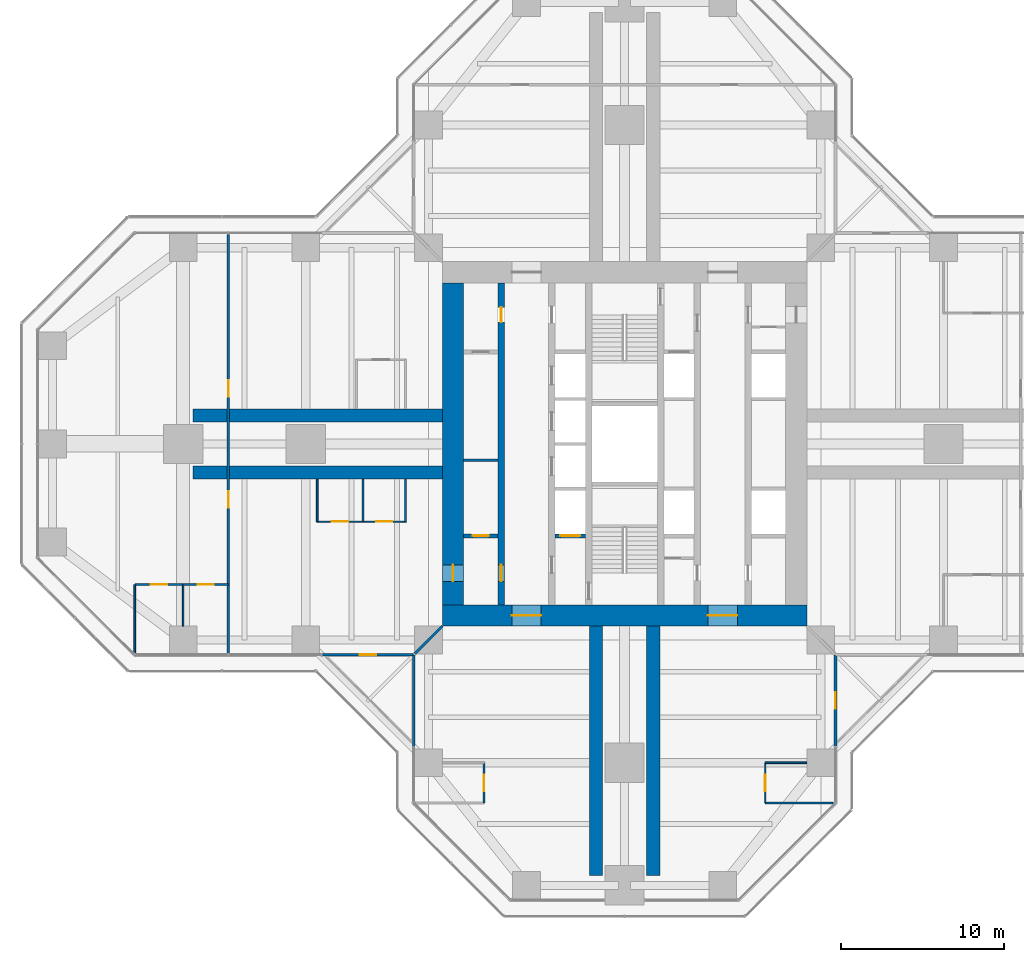
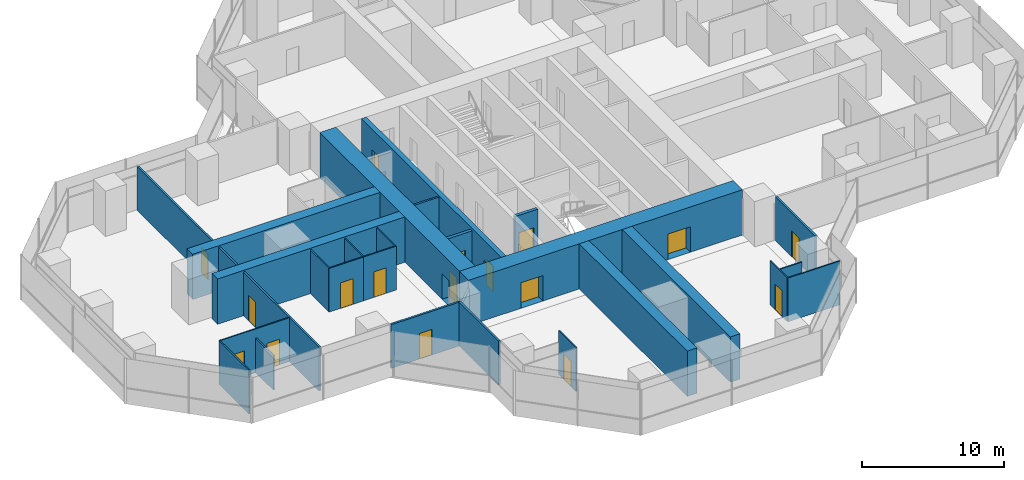
# One storey, part 15 of 20: 27 walls, 17 doors, 17 openings.
"""IFC4 building model written with IfcOpenShell, lengths in metres."""

import ifcopenshell
import ifcopenshell.guid

model = None  # the IFC model being written
_history = None  # IfcOwnerHistory: only IFC2X3 demands one
_inside = {}  # id of a spatial element -> (the spatial element, [elements in it])
_under = {}  # id of a project, library or spatial element -> (it, [spatial elements below it])
_declared = {}  # id of a project -> (the project, [libraries it declares])
_typed = {}  # id of a type object -> (the type object, [elements of that type])
_made_of = {}  # id of a material, layer set ... -> (it, [elements and type objects made of it])


def new_model(schema):
    """Start an empty IFC model of exactly this schema.

    Asked for "IFC4X3", IfcOpenShell would pick the latest addendum, in which some entities
    have other attributes; the version numbers below select the first issue.
    IFC2X3 requires an IfcOwnerHistory on every rooted entity: one is made here for all.
    """
    global model, _history
    if schema == "IFC4X3":
        model = ifcopenshell.file(schema_version=(4, 3, 0, 0))
    else:
        model = ifcopenshell.file(schema=schema)
    _inside.clear()
    _under.clear()
    _declared.clear()
    _typed.clear()
    _made_of.clear()
    _history = None
    if model.schema == "IFC2X3":
        org = make("IfcOrganization", Name="unknown")
        user = make(
            "IfcPersonAndOrganization",
            ThePerson=make("IfcPerson", FamilyName="unknown"),
            TheOrganization=org,
        )
        app = make(
            "IfcApplication",
            ApplicationDeveloper=org,
            Version="unknown",
            ApplicationFullName="unknown",
            ApplicationIdentifier="unknown",
        )
        _history = make(
            "IfcOwnerHistory",
            OwningUser=user,
            OwningApplication=app,
            ChangeAction="ADDED",
            CreationDate=0,
        )
    return model


def make(cls, **values):
    """One entity of the class cls with the attributes given. An attribute that is None is left unset."""
    return model.create_entity(
        cls, **{name: value for name, value in values.items() if value is not None}
    )


def rooted(cls, **values):
    """An entity with a GlobalId (a new one), such as an element, a storey or a relation."""
    return make(cls, GlobalId=ifcopenshell.guid.new(), OwnerHistory=_history, **values)


def si_unit(unit_type, name, prefix=None):
    """IfcSIUnit, for example si_unit("LENGTHUNIT", "METRE", prefix="MILLI")."""
    return make("IfcSIUnit", UnitType=unit_type, Prefix=prefix, Name=name)


def assignment(units):
    """IfcUnitAssignment: the units of a project."""
    return None if units is None else make("IfcUnitAssignment", Units=units)


def point(xyz):
    """IfcCartesianPoint."""
    return None if xyz is None else make("IfcCartesianPoint", Coordinates=xyz)


def direction(xyz):
    """IfcDirection."""
    return None if xyz is None else make("IfcDirection", DirectionRatios=xyz)


def frame(location, z_axis=None, x_axis=None):
    """IfcAxis2Placement3D, a coordinate frame: its origin and axes. An axis left out is left unset."""
    return make(
        "IfcAxis2Placement3D",
        Location=point(location),
        Axis=direction(z_axis),
        RefDirection=direction(x_axis),
    )


def frame_2d(location, x_axis=None):
    """IfcAxis2Placement2D, a coordinate frame in the plane: its origin and x axis."""
    return make(
        "IfcAxis2Placement2D", Location=point(location), RefDirection=direction(x_axis)
    )


def origin():
    """The frame at (0, 0, 0) with its axes left unset."""
    return frame((0.0, 0.0, 0.0))


def place(relative_to, where):
    """IfcLocalPlacement: puts the frame where relative to a parent placement (None: the world)."""
    return make(
        "IfcLocalPlacement", PlacementRelTo=relative_to, RelativePlacement=where
    )


def context(
    kind, dimensions, precision=None, world=None, true_north=None, identifier=None
):
    """IfcGeometricRepresentationContext, for example the 3D "Model" context."""
    return make(
        "IfcGeometricRepresentationContext",
        ContextIdentifier=identifier,
        ContextType=kind,
        CoordinateSpaceDimension=dimensions,
        Precision=precision,
        WorldCoordinateSystem=world,
        TrueNorth=true_north,
    )


def subcontext(parent, identifier, kind, view, scale=None):
    """IfcGeometricRepresentationSubContext, for example "Body" below "Model"."""
    return make(
        "IfcGeometricRepresentationSubContext",
        ContextIdentifier=identifier,
        ContextType=kind,
        ParentContext=parent,
        TargetScale=scale,
        TargetView=view,
    )


def project(units=None, contexts=None):
    """IfcProject with its units and contexts."""
    return rooted(
        "IfcProject",
        Name="project",
        RepresentationContexts=contexts,
        UnitsInContext=assignment(units),
    )


def spatial(cls, under=None, at=None, **own):
    """A site, building, storey or space (cls), placed at a placement, below another one or the project."""
    s = rooted(cls, ObjectPlacement=at, **own)
    if under is not None:
        _under.setdefault(under.id(), (under, []))[1].append(s)
    return s


def profile(cls, at=None, kind="AREA", **sizes):
    """A parametric profile (cls). Its sizes go by their IFC names, for example OverallWidth=200.0."""
    return make(cls, ProfileType=kind, Position=at, **sizes)


def rectangle(**sizes):
    """IfcRectangleProfileDef."""
    return profile("IfcRectangleProfileDef", **sizes)


def extrude(swept, where, along, depth):
    """IfcExtrudedAreaSolid: the profile swept, set in the frame where, extruded along a direction by depth."""
    return make(
        "IfcExtrudedAreaSolid",
        SweptArea=swept,
        Position=where,
        ExtrudedDirection=direction(along),
        Depth=depth,
    )


def shape(context_of_items, identifier, shape_type, items):
    """IfcShapeRepresentation: the items that make up one representation, for example the "Body"."""
    return make(
        "IfcShapeRepresentation",
        ContextOfItems=context_of_items,
        RepresentationIdentifier=identifier,
        RepresentationType=shape_type,
        Items=items,
    )


def material(Name=None, Category=None):
    """IfcMaterial."""
    return make("IfcMaterial", Name=Name, Category=Category)


def layer(
    of_material, thickness, ventilated=None, Name=None, Category=None, Priority=None
):
    """IfcMaterialLayer: one layer of a wall or slab, of a material (None: an air gap)."""
    return make(
        "IfcMaterialLayer",
        Material=of_material,
        LayerThickness=thickness,
        IsVentilated=ventilated,
        Name=Name,
        Category=Category,
        Priority=Priority,
    )


def layer_set(layers, Name=None):
    """IfcMaterialLayerSet."""
    return make("IfcMaterialLayerSet", MaterialLayers=layers, LayerSetName=Name)


def made_of(thing, what):
    """Note that an element or type object is made of a material, layer set ...; save() writes the relation."""
    if what is not None:
        _made_of.setdefault(what.id(), (what, []))[1].append(thing)
    return thing


def type_object(cls, material=None, **own):
    """A type object (cls), such as IfcWallType, which elements share."""
    return made_of(rooted(cls, **own), material)


def element(
    cls,
    number,
    at=None,
    inside=None,
    cuts=None,
    type_object=None,
    material=None,
    context=None,
    identifier="Body",
    shape_type=None,
    held_by="IfcProductDefinitionShape",
    body=None,
    shapes=None,
    **own,
):
    """One element of the class cls, such as IfcWall. Its Tag is "e" and its number.

    at: its placement. inside: the storey or other place that contains it. cuts: it is an
    opening in that element (IfcRelVoidsElement). A single representation is given by context,
    identifier, shape_type and body (its items); several are given by shapes. held_by: the class
    of the entity that holds the representations. save() writes the other relations.
    """
    e = rooted(cls, Tag="e%d" % number, ObjectPlacement=at, **own)
    if body is not None:
        shapes = [shape(context, identifier, shape_type, body)]
    if shapes is not None:
        e.Representation = make(held_by, Representations=shapes)
    if inside is not None:
        _inside.setdefault(inside.id(), (inside, []))[1].append(e)
    if cuts is not None:
        rooted(
            "IfcRelVoidsElement", RelatingBuildingElement=cuts, RelatedOpeningElement=e
        )
    if type_object is not None:
        _typed.setdefault(type_object.id(), (type_object, []))[1].append(e)
    return made_of(e, material)


def fill(opening, filler):
    """IfcRelFillsElement: the door or window that sits in an opening."""
    return rooted(
        "IfcRelFillsElement",
        RelatingOpeningElement=opening,
        RelatedBuildingElement=filler,
    )


def aggregate(whole, parts):
    """IfcRelAggregates: a whole, such as a stair, and the parts it consists of."""
    return rooted("IfcRelAggregates", RelatingObject=whole, RelatedObjects=parts)


def save(model, path):
    """Write the relations noted so far, then the file.

    IfcRelAggregates (storeys below a building ...), IfcRelContainedInSpatialStructure (elements
    in a storey), IfcRelDefinesByType, IfcRelAssociatesMaterial and IfcRelDeclares: one each for
    every whole, place, type object, material and project.
    """
    for whole, parts in _under.values():
        aggregate(whole, parts)
    for where, things in _inside.values():
        rooted(
            "IfcRelContainedInSpatialStructure",
            RelatedElements=things,
            RelatingStructure=where,
        )
    for kind, things in _typed.values():
        rooted("IfcRelDefinesByType", RelatedObjects=things, RelatingType=kind)
    for what, things in _made_of.values():
        rooted("IfcRelAssociatesMaterial", RelatedObjects=things, RelatingMaterial=what)
    for by, libraries in _declared.values():
        rooted("IfcRelDeclares", RelatingContext=by, RelatedDefinitions=libraries)
    model.write(path)


model = new_model("IFC4")

# Units and contexts
model_context = context("Model", 3, precision=1e-05, world=origin(), true_north=direction((0.0, 1.0)))
body_context = subcontext(model_context, "Body", "Model", "MODEL_VIEW")
ifc_project = project(units=[si_unit("LENGTHUNIT", "METRE"), si_unit("AREAUNIT", "SQUARE_METRE"), si_unit("VOLUMEUNIT", "CUBIC_METRE"), si_unit("PLANEANGLEUNIT", "RADIAN"), si_unit("MASSUNIT", "GRAM", prefix="KILO")], contexts=[model_context])

# Site, building, storey
site_placement = place(None, origin())
site = spatial("IfcSite", under=ifc_project, at=site_placement, CompositionType="ELEMENT")
building_placement = place(site_placement, origin())
building = spatial("IfcBuilding", under=site, at=building_placement, Name="Mizan Broadcast Tower", CompositionType="ELEMENT")
storey_placement = place(building_placement, frame((0.0, 0.0, 135.89990234375)))
storey = spatial("IfcBuildingStorey", under=building, at=storey_placement, Name="L30", CompositionType="ELEMENT", Elevation=135.89990234375)

# Wall, openings, doors
ifc_material_1 = material(Name="Concrete C70/85", Category="concrete")
ifc_layer_1 = layer(ifc_material_1, 0.39990234375)
ifc_layer_set_1 = layer_set([ifc_layer_1], Name="Concrete C70/85")
wall_type_1 = type_object("IfcWallType", Name="CORE INTERNAL WALL 400", PredefinedType="SHEAR", material=ifc_layer_set_1)
wall_1_placement = place(storey_placement, frame((-7.550048828125, -9.85009765625, 0.0), z_axis=(0.0, 0.0, 1.0), x_axis=(0.0, 1.0, 0.0)))
wall_1 = element("IfcWall", 1, at=wall_1_placement, inside=storey, type_object=wall_type_1, Name="Core wall CORE/XW1", PredefinedType="SHEAR", context=body_context, shape_type="SweptSolid", body=[
    extrude(rectangle(XDim=19.7001953125, YDim=0.39990234375, at=frame_2d((9.85009765625, 0.0))), origin(), (0.0, 0.0, 1.0), 3.900146484375),
])
opening_1_placement = place(wall_1_placement, frame((1.449951171875, 0.0, 0.0)))
opening_1 = element("IfcOpeningElement", 2, at=opening_1_placement, cuts=wall_1, Name="Opening D10F", PredefinedType="OPENING", context=body_context, shape_type="SweptSolid", body=[
    extrude(rectangle(XDim=1.0, YDim=2.199951171875, at=frame_2d((0.5, 1.10009765625))), frame((0.0, 0.2099609375, 0.0), z_axis=(0.0, -1.0, 0.0), x_axis=(1.0, 0.0, 0.0)), (0.0, 0.0, 1.0), 0.419921875),
])
opening_2_placement = place(wall_1_placement, frame((17.300048828125, 0.0, 0.0)))
opening_2 = element("IfcOpeningElement", 3, at=opening_2_placement, cuts=wall_1, Name="Opening D09", PredefinedType="OPENING", context=body_context, shape_type="SweptSolid", body=[
    extrude(rectangle(XDim=0.89990234375, YDim=2.10009765625, at=frame_2d((0.449951171875, 1.050048828125))), frame((0.0, 0.2099609375, 0.0), z_axis=(0.0, -1.0, 0.0), x_axis=(1.0, 0.0, 0.0)), (0.0, 0.0, 1.0), 0.419921875),
])
ifc_material_2 = material(Name="Steel door leaf in steel frame", Category="steel")
door_type_1 = type_object("IfcDoorType", Name="FIRE DOOR 1000 FD90", OperationType="SINGLE_SWING_LEFT", PredefinedType="DOOR", material=ifc_material_2)
door_1_placement = place(opening_1_placement, origin())
door_1 = element("IfcDoor", 4, at=door_1_placement, inside=storey, type_object=door_type_1, Name="West core passage door", OperationType="SINGLE_SWING_LEFT", OverallHeight=2.199951171875, OverallWidth=1.0, PredefinedType="DOOR", context=body_context, shape_type="SweptSolid", body=[
    extrude(rectangle(XDim=1.0, YDim=2.199951171875, at=frame_2d((0.5, 1.10009765625))), frame((0.0, 0.02490234375, 0.0), z_axis=(0.0, -1.0, 0.0), x_axis=(1.0, 0.0, 0.0)), (0.0, 0.0, 1.0), 0.050048828125),
])
fill(opening_1, door_1)
ifc_material_3 = material(Name="Timber door leaf in aluminium frame", Category="wood")
door_type_2 = type_object("IfcDoorType", Name="TOILET DOOR 900", OperationType="SINGLE_SWING_LEFT", PredefinedType="DOOR", material=ifc_material_3)
door_2_placement = place(opening_2_placement, origin())
door_2 = element("IfcDoor", 5, at=door_2_placement, inside=storey, type_object=door_type_2, Name="Male WC door", OperationType="SINGLE_SWING_RIGHT", OverallHeight=2.10009765625, OverallWidth=0.89990234375, PredefinedType="DOOR", context=body_context, shape_type="SweptSolid", body=[
    extrude(rectangle(XDim=0.89990234375, YDim=2.10009765625, at=frame_2d((0.449951171875, 1.050048828125))), frame((0.0, 0.02490234375, 0.0), z_axis=(0.0, -1.0, 0.0), x_axis=(1.0, 0.0, 0.0)), (0.0, 0.0, 1.0), 0.050048828125),
])
fill(opening_2, door_2)

# Wall
ifc_material_4 = material(Name="Concrete blockwork", Category="masonry")
ifc_layer_2 = layer(ifc_material_4, 0.14990234375)
ifc_layer_set_2 = layer_set([ifc_layer_2], Name="Concrete blockwork")
wall_type_2 = type_object("IfcWallType", Name="CORE PARTITION 150", PredefinedType="SOLIDWALL", material=ifc_layer_set_2)
wall_2_placement = place(storey_placement, frame((-9.85009765625, -1.0, 0.0), z_axis=(0.0, 0.0, 1.0), x_axis=(1.0, 0.0, 0.0)))
element("IfcWall", 6, at=wall_2_placement, inside=storey, type_object=wall_type_2, Name="Core partition CORE/XP1", PredefinedType="SOLIDWALL", context=body_context, shape_type="SweptSolid", body=[
    extrude(rectangle(XDim=2.10009765625, YDim=0.14990234375, at=frame_2d((1.050048828125, 0.0))), origin(), (0.0, 0.0, 1.0), 3.77001953125),
])

# Wall, openings, doors
ifc_material_5 = material(Name="Concrete C70/85", Category="concrete")
ifc_layer_3 = layer(ifc_material_5, 1.300048828125)
ifc_layer_set_3 = layer_set([ifc_layer_3], Name="Concrete C70/85")
wall_type_3 = type_object("IfcWallType", Name="CORE WALL 1300", PredefinedType="SHEAR", material=ifc_layer_set_3)
wall_3_placement = place(storey_placement, frame((11.14990234375, -10.5, 0.0), z_axis=(0.0, 0.0, 1.0), x_axis=(-1.0, 0.0, 0.0)))
wall_3 = element("IfcWall", 7, at=wall_3_placement, inside=storey, type_object=wall_type_3, Name="Core wall S L30", PredefinedType="SHEAR", context=body_context, shape_type="SweptSolid", body=[
    extrude(rectangle(XDim=22.2998046875, YDim=1.300048828125, at=frame_2d((11.14990234375, 0.0))), origin(), (0.0, 0.0, 1.0), 3.900146484375),
])
opening_3_placement = place(wall_3_placement, frame((16.25, 0.0, 0.0)))
opening_3 = element("IfcOpeningElement", 8, at=opening_3_placement, cuts=wall_3, Name="Opening D18F", PredefinedType="OPENING", context=body_context, shape_type="SweptSolid", body=[
    extrude(rectangle(XDim=1.800048828125, YDim=2.199951171875, at=frame_2d((0.89990234375, 1.10009765625))), frame((0.0, 0.659912109375, 0.0), z_axis=(0.0, -1.0, 0.0), x_axis=(1.0, 0.0, 0.0)), (0.0, 0.0, 1.0), 1.320068359375),
])
opening_4_placement = place(wall_3_placement, frame((4.25, 0.0, 0.0)))
opening_4 = element("IfcOpeningElement", 9, at=opening_4_placement, cuts=wall_3, Name="Opening D18F", PredefinedType="OPENING", context=body_context, shape_type="SweptSolid", body=[
    extrude(rectangle(XDim=1.800048828125, YDim=2.199951171875, at=frame_2d((0.89990234375, 1.10009765625))), frame((0.0, 0.659912109375, 0.0), z_axis=(0.0, -1.0, 0.0), x_axis=(1.0, 0.0, 0.0)), (0.0, 0.0, 1.0), 1.320068359375),
])
ifc_material_6 = material(Name="Steel door leaf in steel frame", Category="steel")
door_type_3 = type_object("IfcDoorType", Name="LOBBY DOUBLE DOOR 1800 FD90", OperationType="DOUBLE_DOOR_DOUBLE_SWING", PredefinedType="DOOR", material=ifc_material_6)
door_3_placement = place(opening_3_placement, origin())
door_3 = element("IfcDoor", 10, at=door_3_placement, inside=storey, type_object=door_type_3, Name="West lift lobby south door", OperationType="DOUBLE_DOOR_DOUBLE_SWING", OverallHeight=2.199951171875, OverallWidth=1.800048828125, PredefinedType="DOOR", context=body_context, shape_type="SweptSolid", body=[
    extrude(rectangle(XDim=1.800048828125, YDim=2.199951171875, at=frame_2d((0.89990234375, 1.10009765625))), frame((0.0, 0.02490234375, 0.0), z_axis=(0.0, -1.0, 0.0), x_axis=(1.0, 0.0, 0.0)), (0.0, 0.0, 1.0), 0.050048828125),
])
fill(opening_3, door_3)
door_4_placement = place(opening_4_placement, origin())
door_4 = element("IfcDoor", 11, at=door_4_placement, inside=storey, type_object=door_type_3, Name="East lift lobby south door", OperationType="DOUBLE_DOOR_DOUBLE_SWING", OverallHeight=2.199951171875, OverallWidth=1.800048828125, PredefinedType="DOOR", context=body_context, shape_type="SweptSolid", body=[
    extrude(rectangle(XDim=1.800048828125, YDim=2.199951171875, at=frame_2d((0.89990234375, 1.10009765625))), frame((0.0, 0.02490234375, 0.0), z_axis=(0.0, -1.0, 0.0), x_axis=(1.0, 0.0, 0.0)), (0.0, 0.0, 1.0), 0.050048828125),
])
fill(opening_4, door_4)

# Wall, opening, door
wall_4_placement = place(storey_placement, frame((-10.5, 9.85009765625, 0.0), z_axis=(0.0, 0.0, 1.0), x_axis=(0.0, -1.0, 0.0)))
wall_4 = element("IfcWall", 12, at=wall_4_placement, inside=storey, type_object=wall_type_3, Name="Core wall W L30", PredefinedType="SHEAR", context=body_context, shape_type="SweptSolid", body=[
    extrude(rectangle(XDim=19.7001953125, YDim=1.300048828125, at=frame_2d((9.85009765625, 0.0))), origin(), (0.0, 0.0, 1.0), 3.900146484375),
])
opening_5_placement = place(wall_4_placement, frame((17.25, 0.0, 0.0)))
opening_5 = element("IfcOpeningElement", 13, at=opening_5_placement, cuts=wall_4, Name="Opening D10F", PredefinedType="OPENING", context=body_context, shape_type="SweptSolid", body=[
    extrude(rectangle(XDim=1.0, YDim=2.199951171875, at=frame_2d((0.5, 1.10009765625))), frame((0.0, 0.659912109375, 0.0), z_axis=(0.0, -1.0, 0.0), x_axis=(1.0, 0.0, 0.0)), (0.0, 0.0, 1.0), 1.320068359375),
])
door_5_placement = place(opening_5_placement, origin())
door_5 = element("IfcDoor", 14, at=door_5_placement, inside=storey, type_object=door_type_1, Name="West core passage arm door", OperationType="SINGLE_SWING_RIGHT", OverallHeight=2.199951171875, OverallWidth=1.0, PredefinedType="DOOR", context=body_context, shape_type="SweptSolid", body=[
    extrude(rectangle(XDim=1.0, YDim=2.199951171875, at=frame_2d((0.5, 1.10009765625))), frame((0.0, 0.02490234375, 0.0), z_axis=(0.0, -1.0, 0.0), x_axis=(1.0, 0.0, 0.0)), (0.0, 0.0, 1.0), 0.050048828125),
])
fill(opening_5, door_5)

ifc_material_7 = material(Name="Aluminium framed glazed screen", Category="aluminium")
ifc_layer_4 = layer(ifc_material_7, 0.159912109375)
ifc_layer_set_4 = layer_set([ifc_layer_4], Name="Aluminium framed glazed screen")
wall_type_4 = type_object("IfcWallType", Name="GLAZED SCREEN WALL 160", PredefinedType="SOLIDWALL", material=ifc_layer_set_4)
wall_5_placement = place(storey_placement, frame((-18.5, -12.89990234375, 0.0), z_axis=(0.0, 0.0, 1.0), x_axis=(1.0, 0.0, 0.0)))
wall_5 = element("IfcWall", 15, at=wall_5_placement, inside=storey, type_object=wall_type_4, Name="Winter garden screen L30 W", PredefinedType="SOLIDWALL", context=body_context, shape_type="SweptSolid", body=[
    extrude(rectangle(XDim=5.60009765625, YDim=0.159912109375, at=frame_2d((2.800048828125, 0.0))), origin(), (0.0, 0.0, 1.0), 3.77001953125),
])
opening_6_placement = place(wall_5_placement, frame((2.300048828125, 0.0, 0.0)))
opening_6 = element("IfcOpeningElement", 16, at=opening_6_placement, cuts=wall_5, Name="Opening WGD", PredefinedType="OPENING", context=body_context, shape_type="SweptSolid", body=[
    extrude(rectangle(XDim=1.0, YDim=2.199951171875, at=frame_2d((0.5, 1.10009765625))), frame((0.0, 0.08984375, 0.0), z_axis=(0.0, -1.0, 0.0), x_axis=(1.0, 0.0, 0.0)), (0.0, 0.0, 1.0), 0.179931640625),
])
ifc_material_8 = material(Name="Aluminium framed glazed door", Category="aluminium")
door_type_4 = type_object("IfcDoorType", Name="WINTER GARDEN DOOR 1000 GLAZED", OperationType="SINGLE_SWING_LEFT", PredefinedType="DOOR", material=ifc_material_8)
door_6_placement = place(opening_6_placement, origin())
door_6 = element("IfcDoor", 17, at=door_6_placement, inside=storey, type_object=door_type_4, Name="Winter garden door L30 W", OperationType="SINGLE_SWING_RIGHT", OverallHeight=2.199951171875, OverallWidth=1.0, PredefinedType="DOOR", context=body_context, shape_type="SweptSolid", body=[
    extrude(rectangle(XDim=1.0, YDim=2.199951171875, at=frame_2d((0.5, 1.10009765625))), frame((0.0, 0.02490234375, 0.0), z_axis=(0.0, -1.0, 0.0), x_axis=(1.0, 0.0, 0.0)), (0.0, 0.0, 1.0), 0.050048828125),
])
fill(opening_6, door_6)

# Wall
wall_6_placement = place(storey_placement, frame((-12.89990234375, -12.89990234375, 0.0), z_axis=(0.0, 0.0, 1.0), x_axis=(0.0, -1.0, 0.0)))
element("IfcWall", 18, at=wall_6_placement, inside=storey, type_object=wall_type_4, Name="Winter garden screen L30 S", PredefinedType="SOLIDWALL", context=body_context, shape_type="SweptSolid", body=[
    extrude(rectangle(XDim=5.60009765625, YDim=0.159912109375, at=frame_2d((2.800048828125, 0.0))), origin(), (0.0, 0.0, 1.0), 3.77001953125),
])

# Wall, opening, door
wall_7_placement = place(storey_placement, frame((12.89990234375, -18.5, 0.0), z_axis=(0.0, 0.0, 1.0), x_axis=(0.0, 1.0, 0.0)))
wall_7 = element("IfcWall", 19, at=wall_7_placement, inside=storey, type_object=wall_type_4, Name="Winter garden screen L30 S", PredefinedType="SOLIDWALL", context=body_context, shape_type="SweptSolid", body=[
    extrude(rectangle(XDim=5.60009765625, YDim=0.159912109375, at=frame_2d((2.800048828125, 0.0))), origin(), (0.0, 0.0, 1.0), 3.77001953125),
])
opening_7_placement = place(wall_7_placement, frame((2.300048828125, 0.0, 0.0)))
opening_7 = element("IfcOpeningElement", 20, at=opening_7_placement, cuts=wall_7, Name="Opening WGD", PredefinedType="OPENING", context=body_context, shape_type="SweptSolid", body=[
    extrude(rectangle(XDim=1.0, YDim=2.199951171875, at=frame_2d((0.5, 1.10009765625))), frame((0.0, 0.08984375, 0.0), z_axis=(0.0, -1.0, 0.0), x_axis=(1.0, 0.0, 0.0)), (0.0, 0.0, 1.0), 0.179931640625),
])
door_7_placement = place(opening_7_placement, origin())
door_7 = element("IfcDoor", 21, at=door_7_placement, inside=storey, type_object=door_type_4, Name="Winter garden door L30 S", OperationType="SINGLE_SWING_RIGHT", OverallHeight=2.199951171875, OverallWidth=1.0, PredefinedType="DOOR", context=body_context, shape_type="SweptSolid", body=[
    extrude(rectangle(XDim=1.0, YDim=2.199951171875, at=frame_2d((0.5, 1.10009765625))), frame((0.0, 0.02490234375, 0.0), z_axis=(0.0, -1.0, 0.0), x_axis=(1.0, 0.0, 0.0)), (0.0, 0.0, 1.0), 0.050048828125),
])
fill(opening_7, door_7)

ifc_material_9 = material(Name="Concrete blockwork", Category="masonry")
ifc_layer_5 = layer(ifc_material_9, 0.25)
ifc_layer_set_5 = layer_set([ifc_layer_5], Name="Concrete blockwork")
wall_type_5 = type_object("IfcWallType", Name="LOBBY ENCLOSURE WALL 250", PredefinedType="SOLIDWALL", material=ifc_layer_set_5)
wall_8_placement = place(storey_placement, frame((-9.85009765625, -5.625, 0.0), z_axis=(0.0, 0.0, 1.0), x_axis=(1.0, 0.0, 0.0)))
wall_8 = element("IfcWall", 22, at=wall_8_placement, inside=storey, type_object=wall_type_5, Name="Lobby enclosure wall CORE/BW1S", PredefinedType="SOLIDWALL", context=body_context, shape_type="SweptSolid", body=[
    extrude(rectangle(XDim=2.10009765625, YDim=0.25, at=frame_2d((1.050048828125, 0.0))), origin(), (0.0, 0.0, 1.0), 3.7001953125),
])
opening_8_placement = place(wall_8_placement, frame((0.550048828125, 0.0, 0.0)))
opening_8 = element("IfcOpeningElement", 23, at=opening_8_placement, cuts=wall_8, Name="Opening D10F", PredefinedType="OPENING", context=body_context, shape_type="SweptSolid", body=[
    extrude(rectangle(XDim=1.0, YDim=2.199951171875, at=frame_2d((0.5, 1.10009765625))), frame((0.0, 0.135009765625, 0.0), z_axis=(0.0, -1.0, 0.0), x_axis=(1.0, 0.0, 0.0)), (0.0, 0.0, 1.0), 0.27001953125),
])
door_8_placement = place(opening_8_placement, origin())
door_8 = element("IfcDoor", 24, at=door_8_placement, inside=storey, type_object=door_type_1, Name="Housekeeping store door", OperationType="SINGLE_SWING_RIGHT", OverallHeight=2.199951171875, OverallWidth=1.0, PredefinedType="DOOR", context=body_context, shape_type="SweptSolid", body=[
    extrude(rectangle(XDim=1.0, YDim=2.199951171875, at=frame_2d((0.5, 1.10009765625))), frame((0.0, 0.02490234375, 0.0), z_axis=(0.0, -1.0, 0.0), x_axis=(1.0, 0.0, 0.0)), (0.0, 0.0, 1.0), 0.050048828125),
])
fill(opening_8, door_8)

wall_9_placement = place(storey_placement, frame((-4.25, -5.625, 0.0), z_axis=(0.0, 0.0, 1.0), x_axis=(1.0, 0.0, 0.0)))
wall_9 = element("IfcWall", 25, at=wall_9_placement, inside=storey, type_object=wall_type_5, Name="Lobby enclosure wall CORE/BW2S", PredefinedType="SOLIDWALL", context=body_context, shape_type="SweptSolid", body=[
    extrude(rectangle(XDim=1.85009765625, YDim=0.25, at=frame_2d((0.925048828125, 0.0))), origin(), (0.0, 0.0, 1.0), 3.7001953125),
])
opening_9_placement = place(wall_9_placement, frame((0.324951171875, 0.0, 0.0)))
opening_9 = element("IfcOpeningElement", 26, at=opening_9_placement, cuts=wall_9, Name="Opening LDF", PredefinedType="OPENING", context=body_context, shape_type="SweptSolid", body=[
    extrude(rectangle(XDim=1.199951171875, YDim=2.199951171875, at=frame_2d((0.60009765625, 1.10009765625))), frame((0.0, 0.135009765625, 0.0), z_axis=(0.0, -1.0, 0.0), x_axis=(1.0, 0.0, 0.0)), (0.0, 0.0, 1.0), 0.27001953125),
])
ifc_material_10 = material(Name="Steel door leaf in steel frame", Category="steel")
door_type_5 = type_object("IfcDoorType", Name="FIREFIGHTING LIFT LANDING DOOR 1200", OperationType="SLIDING_TO_LEFT", PredefinedType="DOOR", material=ifc_material_10)
door_9_placement = place(opening_9_placement, origin())
door_9 = element("IfcDoor", 27, at=door_9_placement, inside=storey, type_object=door_type_5, Name="Landing door FF1", OperationType="SLIDING_TO_LEFT", OverallHeight=2.199951171875, OverallWidth=1.199951171875, PredefinedType="DOOR", context=body_context, shape_type="SweptSolid", body=[
    extrude(rectangle(XDim=1.199951171875, YDim=2.199951171875, at=frame_2d((0.60009765625, 1.10009765625))), frame((0.0, 0.02490234375, 0.0), z_axis=(0.0, -1.0, 0.0), x_axis=(1.0, 0.0, 0.0)), (0.0, 0.0, 1.0), 0.050048828125),
])
fill(opening_9, door_9)

# Wall, openings, doors
ifc_material_11 = material(Name="Gypsum board on steel studs", Category="steel")
ifc_layer_6 = layer(ifc_material_11, 0.14990234375)
ifc_layer_set_6 = layer_set([ifc_layer_6], Name="Gypsum board on steel studs")
wall_type_6 = type_object("IfcWallType", Name="PARTITION 150", PredefinedType="PARTITIONING", material=ifc_layer_set_6)
wall_10_placement = place(storey_placement, frame((-24.22900390625, 12.820068359375, 0.0), z_axis=(0.0, 0.0, 1.0), x_axis=(0.0, -1.0, 0.0)))
wall_10 = element("IfcWall", 28, at=wall_10_placement, inside=storey, type_object=wall_type_6, Name="Partition PT/WX1", PredefinedType="PARTITIONING", context=body_context, shape_type="SweptSolid", body=[
    extrude(rectangle(XDim=25.64013671875, YDim=0.14990234375, at=frame_2d((12.820068359375, 0.0))), origin(), (0.0, 0.0, 1.0), 3.77001953125),
])
opening_10_placement = place(wall_10_placement, frame((15.719970703125, 0.0, 0.0)))
opening_10 = element("IfcOpeningElement", 29, at=opening_10_placement, cuts=wall_10, Name="Opening D10", PredefinedType="OPENING", context=body_context, shape_type="SweptSolid", body=[
    extrude(rectangle(XDim=1.0, YDim=2.199951171875, at=frame_2d((0.5, 1.10009765625))), frame((0.0, 0.0849609375, 0.0), z_axis=(0.0, -1.0, 0.0), x_axis=(1.0, 0.0, 0.0)), (0.0, 0.0, 1.0), 0.169921875),
])
opening_11_placement = place(wall_10_placement, frame((8.919921875, 0.0, 0.0)))
opening_11 = element("IfcOpeningElement", 30, at=opening_11_placement, cuts=wall_10, Name="Opening D10", PredefinedType="OPENING", context=body_context, shape_type="SweptSolid", body=[
    extrude(rectangle(XDim=1.0, YDim=2.199951171875, at=frame_2d((0.5, 1.10009765625))), frame((0.0, 0.0849609375, 0.0), z_axis=(0.0, -1.0, 0.0), x_axis=(1.0, 0.0, 0.0)), (0.0, 0.0, 1.0), 0.169921875),
])
ifc_material_12 = material(Name="Timber door leaf in aluminium frame", Category="wood")
door_type_6 = type_object("IfcDoorType", Name="ROOM DOOR 1000", OperationType="SINGLE_SWING_LEFT", PredefinedType="DOOR", material=ifc_material_12)
door_10_placement = place(opening_10_placement, origin())
door_10 = element("IfcDoor", 31, at=door_10_placement, inside=storey, type_object=door_type_6, Name="Open office door", OperationType="SINGLE_SWING_RIGHT", OverallHeight=2.199951171875, OverallWidth=1.0, PredefinedType="DOOR", context=body_context, shape_type="SweptSolid", body=[
    extrude(rectangle(XDim=1.0, YDim=2.199951171875, at=frame_2d((0.5, 1.10009765625))), frame((0.0, 0.02490234375, 0.0), z_axis=(0.0, -1.0, 0.0), x_axis=(1.0, 0.0, 0.0)), (0.0, 0.0, 1.0), 0.050048828125),
])
fill(opening_10, door_10)
door_11_placement = place(opening_11_placement, origin())
door_11 = element("IfcDoor", 32, at=door_11_placement, inside=storey, type_object=door_type_6, Name="Open office door", OperationType="SINGLE_SWING_LEFT", OverallHeight=2.199951171875, OverallWidth=1.0, PredefinedType="DOOR", context=body_context, shape_type="SweptSolid", body=[
    extrude(rectangle(XDim=1.0, YDim=2.199951171875, at=frame_2d((0.5, 1.10009765625))), frame((0.0, 0.02490234375, 0.0), z_axis=(0.0, -1.0, 0.0), x_axis=(1.0, 0.0, 0.0)), (0.0, 0.0, 1.0), 0.050048828125),
])
fill(opening_11, door_11)

# Wall
wall_11_placement = place(storey_placement, frame((-11.14990234375, -11.14990234375, 0.0), z_axis=(0.0, 0.0, 1.0), x_axis=(-0.707106781187, -0.707106781187, 0.0)))
element("IfcWall", 33, at=wall_11_placement, inside=storey, type_object=wall_type_6, Name="Partition PT/DGWS", PredefinedType="PARTITIONING", context=body_context, shape_type="SweptSolid", body=[
    extrude(rectangle(XDim=2.362060546875, YDim=0.14990234375, at=frame_2d((1.18115234375, 0.0))), origin(), (0.0, 0.0, 1.0), 3.22021484375),
])

# Wall, openings, doors
ifc_material_13 = material(Name="Glazed aluminium partition on aluminium track", Category="aluminium")
ifc_layer_7 = layer(ifc_material_13, 0.10009765625)
ifc_layer_set_7 = layer_set([ifc_layer_7], Name="Glazed aluminium partition on aluminium track")
wall_type_7 = type_object("IfcWallType", Name="PARTITION GLAZED OFFICE FRONT 100", PredefinedType="PARTITIONING", material=ifc_layer_set_7)
wall_12_placement = place(storey_placement, frame((-24.22900390625, -8.60009765625, 0.0), z_axis=(0.0, 0.0, 1.0), x_axis=(-1.0, 0.0, 0.0)))
wall_12 = element("IfcWall", 34, at=wall_12_placement, inside=storey, type_object=wall_type_7, Name="Glazed office front PT/WCP0", PredefinedType="PARTITIONING", context=body_context, shape_type="SweptSolid", body=[
    extrude(rectangle(XDim=5.72998046875, YDim=0.10009765625, at=frame_2d((2.864990234375, 0.0))), origin(), (0.0, 0.0, 1.0), 3.77001953125),
])
opening_12_placement = place(wall_12_placement, frame((0.885498046875, 0.0, 0.0)))
opening_12 = element("IfcOpeningElement", 35, at=opening_12_placement, cuts=wall_12, Name="Opening D10O", PredefinedType="OPENING", context=body_context, shape_type="SweptSolid", body=[
    extrude(rectangle(XDim=1.0, YDim=2.199951171875, at=frame_2d((0.5, 1.10009765625))), frame((0.0, 0.06005859375, 0.0), z_axis=(0.0, -1.0, 0.0), x_axis=(1.0, 0.0, 0.0)), (0.0, 0.0, 1.0), 0.1201171875),
])
opening_13_placement = place(wall_12_placement, frame((3.75048828125, 0.0, 0.0)))
opening_13 = element("IfcOpeningElement", 36, at=opening_13_placement, cuts=wall_12, Name="Opening D10O", PredefinedType="OPENING", context=body_context, shape_type="SweptSolid", body=[
    extrude(rectangle(XDim=1.0, YDim=2.199951171875, at=frame_2d((0.5, 1.10009765625))), frame((0.0, 0.06005859375, 0.0), z_axis=(0.0, -1.0, 0.0), x_axis=(1.0, 0.0, 0.0)), (0.0, 0.0, 1.0), 0.1201171875),
])
ifc_material_14 = material(Name="Timber door leaf in aluminium frame", Category="wood")
door_type_7 = type_object("IfcDoorType", Name="OFFICE DOOR 1000 GLAZED", OperationType="SINGLE_SWING_LEFT", PredefinedType="DOOR", material=ifc_material_14)
door_12_placement = place(opening_12_placement, origin())
door_12 = element("IfcDoor", 37, at=door_12_placement, inside=storey, type_object=door_type_7, Name="Office door", OperationType="SINGLE_SWING_LEFT", OverallHeight=2.199951171875, OverallWidth=1.0, PredefinedType="DOOR", context=body_context, shape_type="SweptSolid", body=[
    extrude(rectangle(XDim=1.0, YDim=2.199951171875, at=frame_2d((0.5, 1.10009765625))), frame((0.0, 0.02490234375, 0.0), z_axis=(0.0, -1.0, 0.0), x_axis=(1.0, 0.0, 0.0)), (0.0, 0.0, 1.0), 0.050048828125),
])
fill(opening_12, door_12)
door_13_placement = place(opening_13_placement, origin())
door_13 = element("IfcDoor", 38, at=door_13_placement, inside=storey, type_object=door_type_7, Name="Office door", OperationType="SINGLE_SWING_RIGHT", OverallHeight=2.199951171875, OverallWidth=1.0, PredefinedType="DOOR", context=body_context, shape_type="SweptSolid", body=[
    extrude(rectangle(XDim=1.0, YDim=2.199951171875, at=frame_2d((0.5, 1.10009765625))), frame((0.0, 0.02490234375, 0.0), z_axis=(0.0, -1.0, 0.0), x_axis=(1.0, 0.0, 0.0)), (0.0, 0.0, 1.0), 0.050048828125),
])
fill(opening_13, door_13)

# Walls
wall_13_placement = place(storey_placement, frame((-27.0, -8.60009765625, 0.0), z_axis=(0.0, 0.0, 1.0), x_axis=(0.0, -1.0, 0.0)))
element("IfcWall", 39, at=wall_13_placement, inside=storey, type_object=wall_type_7, Name="Glazed office front PT/WQP2700", PredefinedType="PARTITIONING", context=body_context, shape_type="SweptSolid", body=[
    extrude(rectangle(XDim=2.5498046875, YDim=0.10009765625, at=frame_2d((1.27490234375, 0.0))), origin(), (0.0, 0.0, 1.0), 2.97021484375),
])
wall_14_placement = place(storey_placement, frame((-29.958984375, -8.60009765625, 0.0), z_axis=(0.0, 0.0, 1.0), x_axis=(0.0, -1.0, 0.0)))
element("IfcWall", 40, at=wall_14_placement, inside=storey, type_object=wall_type_7, Name="Glazed office front PT/WQP2996", PredefinedType="PARTITIONING", context=body_context, shape_type="SweptSolid", body=[
    extrude(rectangle(XDim=4.219970703125, YDim=0.10009765625, at=frame_2d((2.10986328125, 0.0))), origin(), (0.0, 0.0, 1.0), 3.77001953125),
])
for number, where, z_axis, x_axis, name in (
    (41, (-13.39990234375, -2.14990234375, 0.0), (0.0, 0.0, 1.0), (0.0, -1.0, 0.0), "Glazed office front PT/WKP0a"),
    (42, (-16.0, -2.14990234375, 0.0), (0.0, 0.0, 1.0), (0.0, -1.0, 0.0), "Glazed office front PT/WKP0b"),
):
    element("IfcWall", number, at=place(storey_placement, frame(where, z_axis=z_axis, x_axis=x_axis)), inside=storey, type_object=wall_type_7, Name=name, PredefinedType="PARTITIONING", context=body_context, shape_type="SweptSolid", body=[
        extrude(rectangle(XDim=2.60009765625, YDim=0.10009765625, at=frame_2d((1.300048828125, 0.0))), origin(), (0.0, 0.0, 1.0), 3.77001953125),
    ])

# Wall, opening, door
wall_15_placement = place(storey_placement, frame((-13.35009765625, -4.75, 0.0), z_axis=(0.0, 0.0, 1.0), x_axis=(-1.0, 0.0, 0.0)))
wall_15 = element("IfcWall", 43, at=wall_15_placement, inside=storey, type_object=wall_type_7, Name="Glazed office front PT/WKP0f", PredefinedType="PARTITIONING", context=body_context, shape_type="SweptSolid", body=[
    extrude(rectangle(XDim=2.699951171875, YDim=0.10009765625, at=frame_2d((1.35009765625, 0.0))), origin(), (0.0, 0.0, 1.0), 3.77001953125),
])
opening_14_placement = place(wall_15_placement, frame((0.85009765625, 0.0, 0.0)))
opening_14 = element("IfcOpeningElement", 44, at=opening_14_placement, cuts=wall_15, Name="Opening D10O", PredefinedType="OPENING", context=body_context, shape_type="SweptSolid", body=[
    extrude(rectangle(XDim=1.0, YDim=2.199951171875, at=frame_2d((0.5, 1.10009765625))), frame((0.0, 0.06005859375, 0.0), z_axis=(0.0, -1.0, 0.0), x_axis=(1.0, 0.0, 0.0)), (0.0, 0.0, 1.0), 0.1201171875),
])
door_14_placement = place(opening_14_placement, origin())
door_14 = element("IfcDoor", 45, at=door_14_placement, inside=storey, type_object=door_type_7, Name="Interview room door", OperationType="SINGLE_SWING_LEFT", OverallHeight=2.199951171875, OverallWidth=1.0, PredefinedType="DOOR", context=body_context, shape_type="SweptSolid", body=[
    extrude(rectangle(XDim=1.0, YDim=2.199951171875, at=frame_2d((0.5, 1.10009765625))), frame((0.0, 0.02490234375, 0.0), z_axis=(0.0, -1.0, 0.0), x_axis=(1.0, 0.0, 0.0)), (0.0, 0.0, 1.0), 0.050048828125),
])
fill(opening_14, door_14)

# Wall
wall_16_placement = place(storey_placement, frame((-18.800048828125, -2.14990234375, 0.0), z_axis=(0.0, 0.0, 1.0), x_axis=(0.0, -1.0, 0.0)))
element("IfcWall", 46, at=wall_16_placement, inside=storey, type_object=wall_type_7, Name="Glazed office front PT/WKP1b", PredefinedType="PARTITIONING", context=body_context, shape_type="SweptSolid", body=[
    extrude(rectangle(XDim=2.60009765625, YDim=0.10009765625, at=frame_2d((1.300048828125, 0.0))), origin(), (0.0, 0.0, 1.0), 3.77001953125),
])

# Wall, opening, door
wall_17_placement = place(storey_placement, frame((-16.050048828125, -4.75, 0.0), z_axis=(0.0, 0.0, 1.0), x_axis=(-1.0, 0.0, 0.0)))
wall_17 = element("IfcWall", 47, at=wall_17_placement, inside=storey, type_object=wall_type_7, Name="Glazed office front PT/WKP1f", PredefinedType="PARTITIONING", context=body_context, shape_type="SweptSolid", body=[
    extrude(rectangle(XDim=2.800048828125, YDim=0.10009765625, at=frame_2d((1.39990234375, 0.0))), origin(), (0.0, 0.0, 1.0), 3.77001953125),
])
opening_15_placement = place(wall_17_placement, frame((0.85009765625, 0.0, 0.0)))
opening_15 = element("IfcOpeningElement", 48, at=opening_15_placement, cuts=wall_17, Name="Opening D10O", PredefinedType="OPENING", context=body_context, shape_type="SweptSolid", body=[
    extrude(rectangle(XDim=1.0, YDim=2.199951171875, at=frame_2d((0.5, 1.10009765625))), frame((0.0, 0.06005859375, 0.0), z_axis=(0.0, -1.0, 0.0), x_axis=(1.0, 0.0, 0.0)), (0.0, 0.0, 1.0), 0.1201171875),
])
door_15_placement = place(opening_15_placement, origin())
door_15 = element("IfcDoor", 49, at=door_15_placement, inside=storey, type_object=door_type_7, Name="Interview room door", OperationType="SINGLE_SWING_LEFT", OverallHeight=2.199951171875, OverallWidth=1.0, PredefinedType="DOOR", context=body_context, shape_type="SweptSolid", body=[
    extrude(rectangle(XDim=1.0, YDim=2.199951171875, at=frame_2d((0.5, 1.10009765625))), frame((0.0, 0.02490234375, 0.0), z_axis=(0.0, -1.0, 0.0), x_axis=(1.0, 0.0, 0.0)), (0.0, 0.0, 1.0), 0.050048828125),
])
fill(opening_15, door_15)

wall_18_placement = place(storey_placement, frame((8.60009765625, -19.5, 0.0), z_axis=(0.0, 0.0, 1.0), x_axis=(0.0, -1.0, 0.0)))
wall_18 = element("IfcWall", 50, at=wall_18_placement, inside=storey, type_object=wall_type_7, Name="Glazed office front PT/SCP0", PredefinedType="PARTITIONING", context=body_context, shape_type="SweptSolid", body=[
    extrude(rectangle(XDim=2.458984375, YDim=0.10009765625, at=frame_2d((1.2294921875, 0.0))), origin(), (0.0, 0.0, 1.0), 3.77001953125),
])
opening_16_placement = place(wall_18_placement, frame((0.7294921875, 0.0, 0.0)))
opening_16 = element("IfcOpeningElement", 51, at=opening_16_placement, cuts=wall_18, Name="Opening D10O", PredefinedType="OPENING", context=body_context, shape_type="SweptSolid", body=[
    extrude(rectangle(XDim=1.0, YDim=2.199951171875, at=frame_2d((0.5, 1.10009765625))), frame((0.0, 0.06005859375, 0.0), z_axis=(0.0, -1.0, 0.0), x_axis=(1.0, 0.0, 0.0)), (0.0, 0.0, 1.0), 0.1201171875),
])
door_16_placement = place(opening_16_placement, origin())
door_16 = element("IfcDoor", 52, at=door_16_placement, inside=storey, type_object=door_type_7, Name="Office door", OperationType="SINGLE_SWING_LEFT", OverallHeight=2.199951171875, OverallWidth=1.0, PredefinedType="DOOR", context=body_context, shape_type="SweptSolid", body=[
    extrude(rectangle(XDim=1.0, YDim=2.199951171875, at=frame_2d((0.5, 1.10009765625))), frame((0.0, 0.02490234375, 0.0), z_axis=(0.0, -1.0, 0.0), x_axis=(1.0, 0.0, 0.0)), (0.0, 0.0, 1.0), 0.050048828125),
])
fill(opening_16, door_16)

# Walls
wall_19_placement = place(storey_placement, frame((8.60009765625, -19.5, 0.0), z_axis=(0.0, 0.0, 1.0), x_axis=(1.0, 0.0, 0.0)))
element("IfcWall", 53, at=wall_19_placement, inside=storey, type_object=wall_type_7, Name="Glazed office front PT/SQP1950", PredefinedType="PARTITIONING", context=body_context, shape_type="SweptSolid", body=[
    extrude(rectangle(XDim=2.5498046875, YDim=0.10009765625, at=frame_2d((1.27490234375, 0.0))), origin(), (0.0, 0.0, 1.0), 2.77001953125),
])
wall_20_placement = place(storey_placement, frame((8.60009765625, -21.958984375, 0.0), z_axis=(0.0, 0.0, 1.0), x_axis=(1.0, 0.0, 0.0)))
element("IfcWall", 54, at=wall_20_placement, inside=storey, type_object=wall_type_7, Name="Glazed office front PT/SQP2196", PredefinedType="PARTITIONING", context=body_context, shape_type="SweptSolid", body=[
    extrude(rectangle(XDim=4.219970703125, YDim=0.10009765625, at=frame_2d((2.10986328125, 0.0))), origin(), (0.0, 0.0, 1.0), 3.77001953125),
])

# Wall, opening, door
wall_21_placement = place(storey_placement, frame((-8.60009765625, -19.5, 0.0), z_axis=(0.0, 0.0, 1.0), x_axis=(0.0, -1.0, 0.0)))
wall_21 = element("IfcWall", 55, at=wall_21_placement, inside=storey, type_object=wall_type_7, Name="Glazed office front PT/SCN0", PredefinedType="PARTITIONING", context=body_context, shape_type="SweptSolid", body=[
    extrude(rectangle(XDim=2.458984375, YDim=0.10009765625, at=frame_2d((1.2294921875, 0.0))), origin(), (0.0, 0.0, 1.0), 3.77001953125),
])
opening_17_placement = place(wall_21_placement, frame((0.7294921875, 0.0, 0.0)))
opening_17 = element("IfcOpeningElement", 56, at=opening_17_placement, cuts=wall_21, Name="Opening D10O", PredefinedType="OPENING", context=body_context, shape_type="SweptSolid", body=[
    extrude(rectangle(XDim=1.0, YDim=2.199951171875, at=frame_2d((0.5, 1.10009765625))), frame((0.0, 0.06005859375, 0.0), z_axis=(0.0, -1.0, 0.0), x_axis=(1.0, 0.0, 0.0)), (0.0, 0.0, 1.0), 0.1201171875),
])
door_17_placement = place(opening_17_placement, origin())
door_17 = element("IfcDoor", 57, at=door_17_placement, inside=storey, type_object=door_type_7, Name="Office door", OperationType="SINGLE_SWING_LEFT", OverallHeight=2.199951171875, OverallWidth=1.0, PredefinedType="DOOR", context=body_context, shape_type="SweptSolid", body=[
    extrude(rectangle(XDim=1.0, YDim=2.199951171875, at=frame_2d((0.5, 1.10009765625))), frame((0.0, 0.02490234375, 0.0), z_axis=(0.0, -1.0, 0.0), x_axis=(1.0, 0.0, 0.0)), (0.0, 0.0, 1.0), 0.050048828125),
])
fill(opening_17, door_17)

# Walls
ifc_material_15 = material(Name="Concrete C70/85", Category="concrete")
ifc_layer_8 = layer(ifc_material_15, 0.800048828125)
ifc_layer_set_8 = layer_set([ifc_layer_8], Name="Concrete C70/85")
wall_type_8 = type_object("IfcWallType", Name="SPINE WALL 800", PredefinedType="SHEAR", material=ifc_layer_set_8)
for number, where, z_axis, x_axis, name in (
    (58, (-11.14990234375, 1.75, 0.0), (0.0, 0.0, 1.0), (-1.0, 0.0, 0.0), "Spine wall WR L30"),
    (59, (-11.14990234375, -1.75, 0.0), (0.0, 0.0, 1.0), (-1.0, 0.0, 0.0), "Spine wall WL L30"),
    (60, (-1.75, -11.14990234375, 0.0), (0.0, 0.0, 1.0), (0.0, -1.0, 0.0), "Spine wall SR L30"),
    (61, (1.75, -11.14990234375, 0.0), (0.0, 0.0, 1.0), (0.0, -1.0, 0.0), "Spine wall SL L30"),
):
    element("IfcWall", number, at=place(storey_placement, frame(where, z_axis=z_axis, x_axis=x_axis)), inside=storey, type_object=wall_type_8, Name=name, PredefinedType="SHEAR", context=body_context, shape_type="SweptSolid", body=[
        extrude(rectangle(XDim=15.25, YDim=0.800048828125, at=frame_2d((7.625, 0.0))), origin(), (0.0, 0.0, 1.0), 3.900146484375),
    ])

save(model, "model.ifc")
